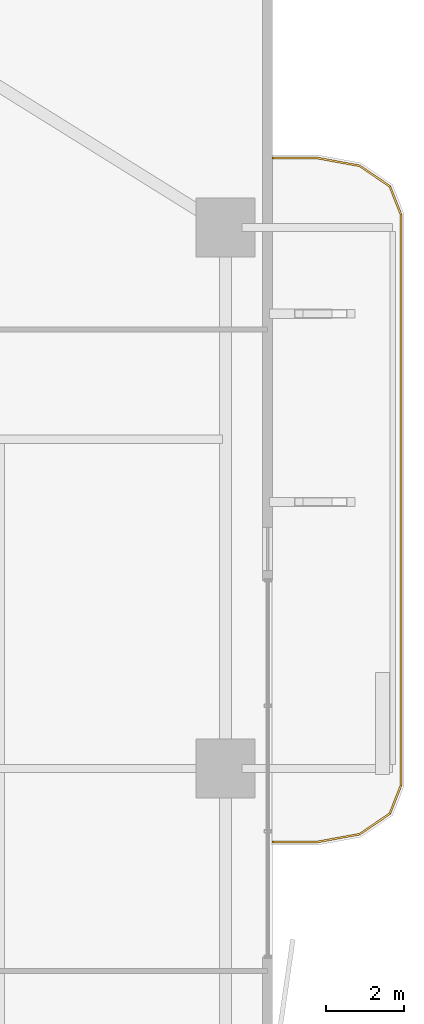
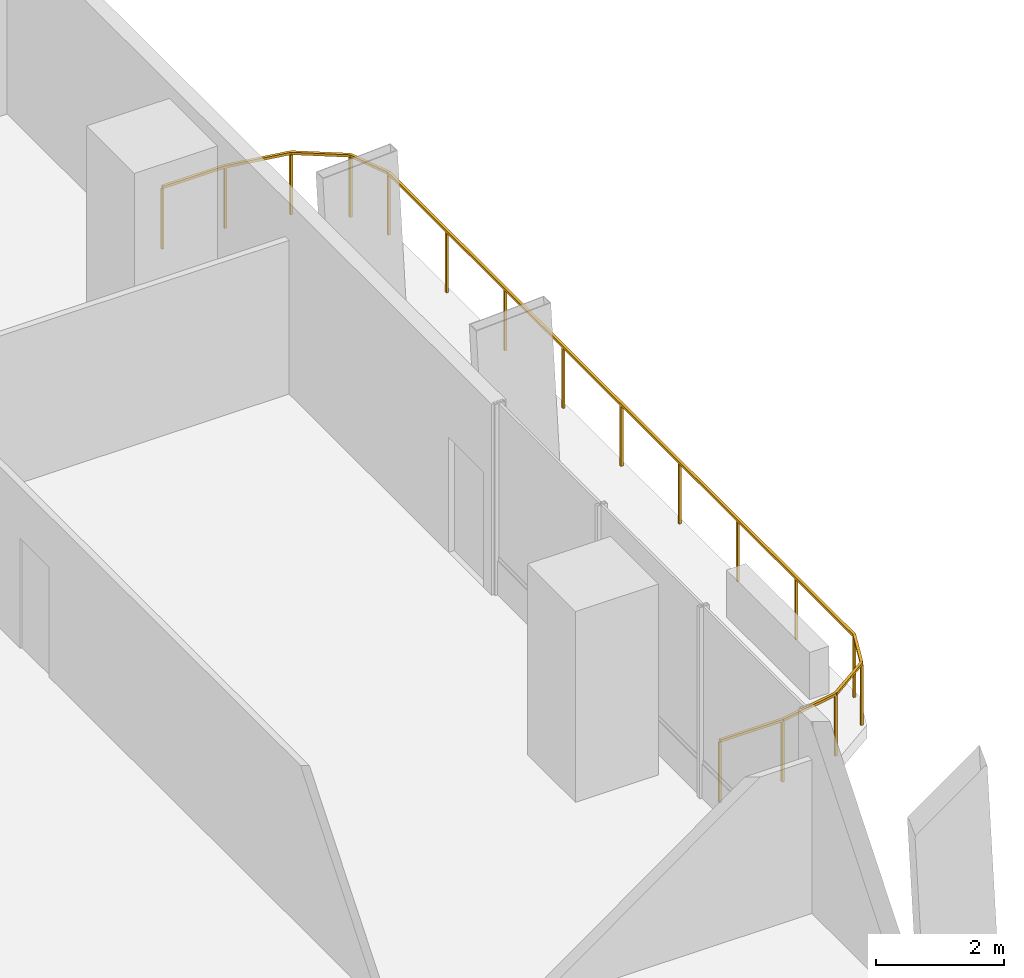
# One storey, part 24 of 24: 1 railing.
"""IFC4 building model written with IfcOpenShell, lengths in metres."""

from ifc_helpers import new_model, si_unit, direction, frame, origin, origin_2d, place, context, subcontext, project, spatial, rectangle, extrude, material, type_object, element, save


model = new_model("IFC4")

# Units and contexts
model_context = context("Model", 3, precision=1e-05, world=origin(), true_north=direction((0.0, 1.0)))
body_context = subcontext(model_context, "Body", "Model", "MODEL_VIEW")
ifc_project = project(units=[si_unit("LENGTHUNIT", "METRE"), si_unit("AREAUNIT", "SQUARE_METRE"), si_unit("VOLUMEUNIT", "CUBIC_METRE"), si_unit("PLANEANGLEUNIT", "RADIAN"), si_unit("MASSUNIT", "GRAM", prefix="KILO")], contexts=[model_context])

# Site, building, storey
site_placement = place(None, origin())
site = spatial("IfcSite", under=ifc_project, at=site_placement, CompositionType="ELEMENT")
building_placement = place(site_placement, origin())
building = spatial("IfcBuilding", under=site, at=building_placement, Name="Belovzor Exchange Tower", CompositionType="ELEMENT")
storey_placement = place(building_placement, frame((0.0, 0.0, 69.0)))
storey = spatial("IfcBuildingStorey", under=building, at=storey_placement, Name="L16", CompositionType="ELEMENT", Elevation=69.0)

# Railing
ifc_material = material(Name="Stainless Steel and Laminated Safety Glass", Category="steel")
railing_type = type_object("IfcRailingType", Name="Laminated Glass & Stainless Steel Balcony Balustrade 1200", PredefinedType="BALUSTRADE", material=ifc_material)
railing_placement = place(storey_placement, frame((56.7099609375, 26.929931640625, 0.0)))
element("IfcRailing", 1, at=railing_placement, inside=storey, type_object=railing_type, Name="GR-1 Balcony Balustrade L16 East", PredefinedType="BALUSTRADE", context=body_context, shape_type="SweptSolid", body=[
    extrude(rectangle(XDim=0.048095703125, YDim=0.048095703125, at=origin_2d()), frame((0.0, 0.0, 1.17578125), z_axis=(1.0, 0.0, 0.0), x_axis=(0.0, 1.0, 0.0)), (0.0, 0.0, 1.0), 1.133056640625),
    extrude(rectangle(XDim=0.048095703125, YDim=0.048095703125, at=origin_2d()), frame((1.133056640625, 0.0, 1.17578125), z_axis=(0.983644145941, 0.180122719713, 0.0), x_axis=(-0.180122719713, 0.983644145941, 0.0)), (0.0, 0.0, 1.0), 1.09375),
    extrude(rectangle(XDim=0.048095703125, YDim=0.048095703125, at=origin_2d()), frame((2.208984375, 0.197021484375, 1.17578125), z_axis=(0.826493025367, 0.56294695933, 0.0), x_axis=(-0.56294695933, 0.826493025367, 0.0)), (0.0, 0.0, 1.0), 0.932861328125),
    extrude(rectangle(XDim=0.048095703125, YDim=0.048095703125, at=origin_2d()), frame((2.97998046875, 0.72216796875, 1.17578125), z_axis=(0.365612923861, 0.930766990125, 0.0), x_axis=(-0.930766990125, 0.365612923861, 0.0)), (0.0, 0.0, 1.0), 0.765869140625),
    extrude(rectangle(XDim=0.048095703125, YDim=0.048095703125, at=origin_2d()), frame((3.260009765625, 1.43505859375, 1.17578125), z_axis=(0.0, 1.0, 0.0), x_axis=(-1.0, 0.0, 0.0)), (0.0, 0.0, 1.0), 14.570068359375),
    extrude(rectangle(XDim=0.048095703125, YDim=0.048095703125, at=origin_2d()), frame((3.260009765625, 16.005126953125, 1.17578125), z_axis=(-0.365612923861, 0.930766990125, 0.0), x_axis=(-0.930766990125, -0.365612923861, 0.0)), (0.0, 0.0, 1.0), 0.765869140625),
    extrude(rectangle(XDim=0.048095703125, YDim=0.048095703125, at=origin_2d()), frame((2.97998046875, 16.718017578125, 1.17578125), z_axis=(-0.826493025367, 0.56294695933, 0.0), x_axis=(-0.56294695933, -0.826493025367, 0.0)), (0.0, 0.0, 1.0), 0.932861328125),
    extrude(rectangle(XDim=0.048095703125, YDim=0.048095703125, at=origin_2d()), frame((2.208984375, 17.2431640625, 1.17578125), z_axis=(-0.983644145941, 0.180122719713, 0.0), x_axis=(-0.180122719713, -0.983644145941, 0.0)), (0.0, 0.0, 1.0), 1.09375),
    extrude(rectangle(XDim=0.048095703125, YDim=0.048095703125, at=origin_2d()), frame((1.133056640625, 17.440185546875, 1.17578125), z_axis=(-1.0, 0.0, 0.0), x_axis=(0.0, -1.0, 0.0)), (0.0, 0.0, 1.0), 1.133056640625),
    extrude(rectangle(XDim=0.0419921875, YDim=0.0419921875, at=origin_2d()), origin(), (0.0, 0.0, 1.0), 1.15185546875),
    extrude(rectangle(XDim=0.0419921875, YDim=0.0419921875, at=origin_2d()), frame((1.133056640625, 0.0, 0.0)), (0.0, 0.0, 1.0), 1.15185546875),
    extrude(rectangle(XDim=0.0419921875, YDim=0.0419921875, at=origin_2d()), frame((2.208984375, 0.197021484375, 0.0)), (0.0, 0.0, 1.0), 1.15185546875),
    extrude(rectangle(XDim=0.0419921875, YDim=0.0419921875, at=origin_2d()), frame((2.97998046875, 0.72216796875, 0.0)), (0.0, 0.0, 1.0), 1.15185546875),
    extrude(rectangle(XDim=0.0419921875, YDim=0.0419921875, at=origin_2d()), frame((3.260009765625, 1.43505859375, 0.0)), (0.0, 0.0, 1.0), 1.15185546875),
    extrude(rectangle(XDim=0.0419921875, YDim=0.0419921875, at=origin_2d()), frame((3.260009765625, 3.25634765625, 0.0)), (0.0, 0.0, 1.0), 1.15185546875),
    extrude(rectangle(XDim=0.0419921875, YDim=0.0419921875, at=origin_2d()), frame((3.260009765625, 5.07763671875, 0.0)), (0.0, 0.0, 1.0), 1.15185546875),
    extrude(rectangle(XDim=0.0419921875, YDim=0.0419921875, at=origin_2d()), frame((3.260009765625, 6.89892578125, 0.0)), (0.0, 0.0, 1.0), 1.15185546875),
    extrude(rectangle(XDim=0.0419921875, YDim=0.0419921875, at=origin_2d()), frame((3.260009765625, 8.72021484375, 0.0)), (0.0, 0.0, 1.0), 1.15185546875),
    extrude(rectangle(XDim=0.0419921875, YDim=0.0419921875, at=origin_2d()), frame((3.260009765625, 10.541259765625, 0.0)), (0.0, 0.0, 1.0), 1.15185546875),
    extrude(rectangle(XDim=0.0419921875, YDim=0.0419921875, at=origin_2d()), frame((3.260009765625, 12.362548828125, 0.0)), (0.0, 0.0, 1.0), 1.15185546875),
    extrude(rectangle(XDim=0.0419921875, YDim=0.0419921875, at=origin_2d()), frame((3.260009765625, 14.183837890625, 0.0)), (0.0, 0.0, 1.0), 1.15185546875),
    extrude(rectangle(XDim=0.0419921875, YDim=0.0419921875, at=origin_2d()), frame((3.260009765625, 16.005126953125, 0.0)), (0.0, 0.0, 1.0), 1.15185546875),
    extrude(rectangle(XDim=0.0419921875, YDim=0.0419921875, at=origin_2d()), frame((2.97998046875, 16.718017578125, 0.0)), (0.0, 0.0, 1.0), 1.15185546875),
    extrude(rectangle(XDim=0.0419921875, YDim=0.0419921875, at=origin_2d()), frame((2.208984375, 17.2431640625, 0.0)), (0.0, 0.0, 1.0), 1.15185546875),
    extrude(rectangle(XDim=0.0419921875, YDim=0.0419921875, at=origin_2d()), frame((1.133056640625, 17.440185546875, 0.0)), (0.0, 0.0, 1.0), 1.15185546875),
    extrude(rectangle(XDim=0.0419921875, YDim=0.0419921875, at=origin_2d()), frame((0.0, 17.440185546875, 0.0)), (0.0, 0.0, 1.0), 1.15185546875),
])

save(model, "model.ifc")
